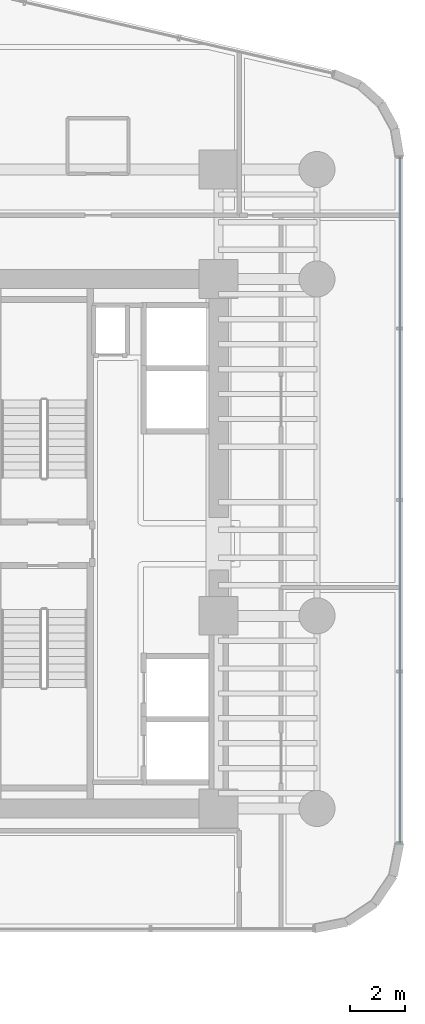
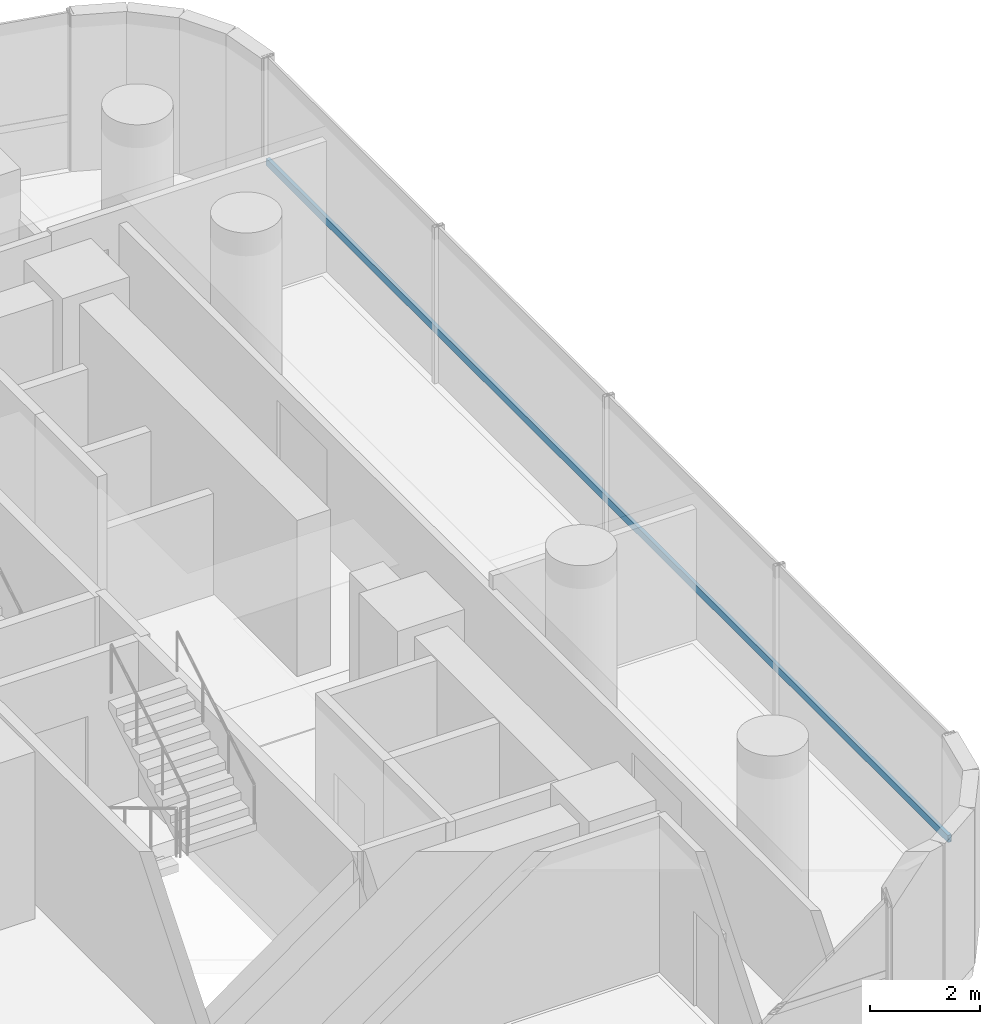
# One storey, part 26 of 40: 1 member, 1 element without a shape of its own.
"""IFC4 building model written with IfcOpenShell, lengths in metres."""

from ifc_helpers import new_model, si_unit, direction, frame, origin, origin_2d, place, context, subcontext, project, spatial, hollow_rectangle, extrude, source, transform, mapped, material, material_profile, profile_set, type_object, element, aggregate, save


model = new_model("IFC4")

# Units and contexts
model_context = context("Model", 3, precision=1e-05, world=origin(), true_north=direction((0.0, 1.0)))
body_context = subcontext(model_context, "Body", "Model", "MODEL_VIEW")
ifc_project = project(units=[si_unit("LENGTHUNIT", "METRE"), si_unit("AREAUNIT", "SQUARE_METRE"), si_unit("VOLUMEUNIT", "CUBIC_METRE"), si_unit("PLANEANGLEUNIT", "RADIAN"), si_unit("MASSUNIT", "GRAM", prefix="KILO")], contexts=[model_context])

# Site, building, storey
site_placement = place(None, origin())
site = spatial("IfcSite", under=ifc_project, at=site_placement, CompositionType="ELEMENT")
building_placement = place(site_placement, origin())
building = spatial("IfcBuilding", under=site, at=building_placement, Name="Valdorenza Pilgrim Sanctuary Tower", CompositionType="ELEMENT")
storey_placement = place(building_placement, frame((0.0, 0.0, 92.60009765625)))
storey = spatial("IfcBuildingStorey", under=building, at=storey_placement, Name="L23", CompositionType="ELEMENT", Elevation=92.60009765625)

# Curtain wall, member
ifc_material_1 = material(Name="Curtain-wall IGU glazing", Category="glass")
curtain_wall_type = type_object("IfcCurtainWallType", Name="CW-SYS-03", PredefinedType="NOTDEFINED", material=ifc_material_1)
curtain_wall_placement = place(storey_placement, origin())
curtain_wall = element("IfcCurtainWall", 1, at=curtain_wall_placement, inside=storey, type_object=curtain_wall_type, Name="L23 Curtain Wall CW-L23-1-21", PredefinedType="NOTDEFINED")
ifc_material_2 = material(Name="Anodised aluminium AW-6060", Category="aluminium")
ifc_material_profile = material_profile(ifc_material_2, hollow_rectangle(XDim=0.074951171875, YDim=0.159912109375, WallThickness=0.00390625, at=origin_2d()), Name="ALU-T 160x75x4")
ifc_profile_set = profile_set([ifc_material_profile], Name="Anodised aluminium AW-6060")
member_type = type_object("IfcMemberType", Name="CW-TRN-03", PredefinedType="USERDEFINED", material=ifc_profile_set)
shared_shape = source(origin(), body_context, "Body", "SweptSolid", [
    extrude(hollow_rectangle(XDim=0.074951171875, YDim=0.159912109375, WallThickness=0.00390625, at=origin_2d()), origin(), (0.0, 0.0, 1.0), 24.734375),
])
member_placement = place(storey_placement, frame((31.389892578125, 13.945068359375, 1.119873046875), z_axis=(0.0, -1.0, 0.0), x_axis=(1.0, 0.0, 0.0)))
member = element("IfcMember", 2, at=member_placement, type_object=member_type, Name="CW-L23-1-21 Transom 1", ObjectType="TRANSOM", PredefinedType="USERDEFINED", context=body_context, shape_type="MappedRepresentation", body=[
    mapped(shared_shape, transform((0.0, 0.0, 0.0), x_axis=(1.0, 0.0, 0.0), y_axis=(0.0, 1.0, 0.0), z_axis=(0.0, 0.0, 1.0), scale=1.0)),
])
aggregate(curtain_wall, [member])

save(model, "model.ifc")
